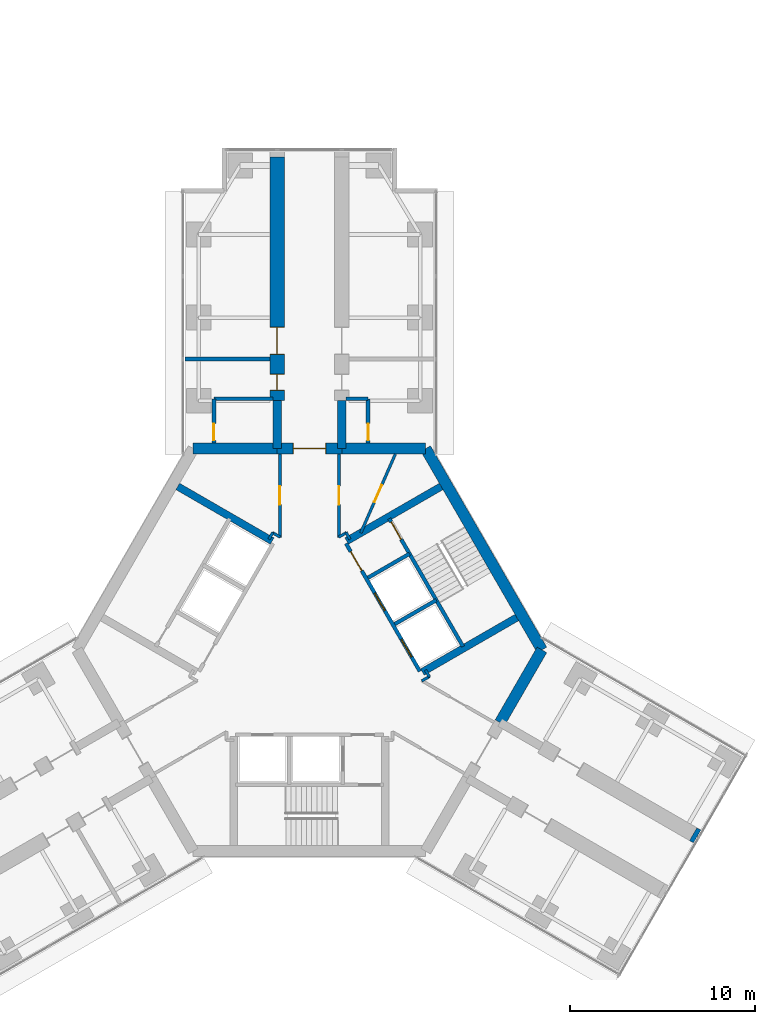
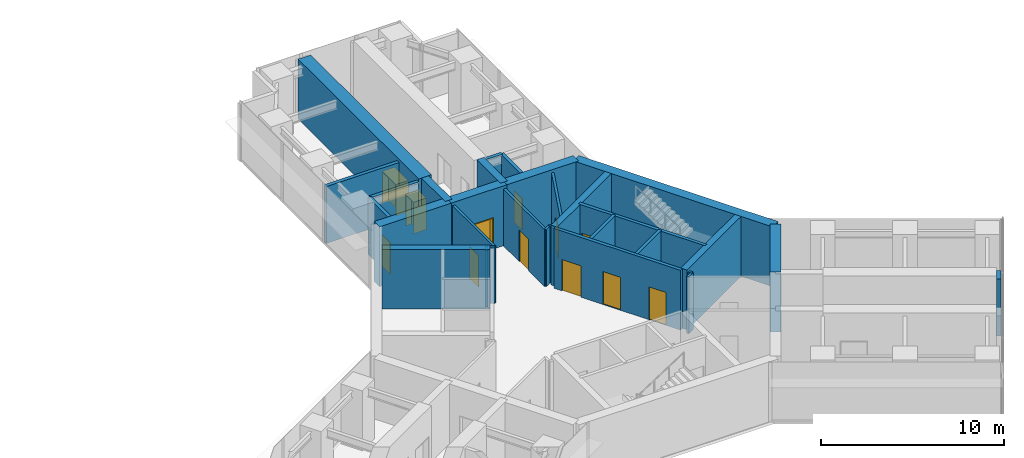
# One storey, part 19 of 21: 30 walls, 12 doors, 12 openings.
"""IFC4 building model written with IfcOpenShell, lengths in metres."""

from ifc_helpers import new_model, si_unit, direction, frame, frame_2d, origin, place, context, subcontext, project, spatial, rectangle, extrude, material, layer, layer_set, type_object, element, fill, save


model = new_model("IFC4")

# Units and contexts
model_context = context("Model", 3, precision=1e-05, world=origin(), true_north=direction((0.0, 1.0)))
body_context = subcontext(model_context, "Body", "Model", "MODEL_VIEW")
ifc_project = project(units=[si_unit("LENGTHUNIT", "METRE"), si_unit("AREAUNIT", "SQUARE_METRE"), si_unit("VOLUMEUNIT", "CUBIC_METRE"), si_unit("PLANEANGLEUNIT", "RADIAN"), si_unit("MASSUNIT", "GRAM", prefix="KILO")], contexts=[model_context])

# Site, building, storey
site_placement = place(None, origin())
site = spatial("IfcSite", under=ifc_project, at=site_placement, CompositionType="ELEMENT")
building_placement = place(site_placement, origin())
building = spatial("IfcBuilding", under=site, at=building_placement, Name="Upepo Twin Towers", CompositionType="ELEMENT")
storey_placement = place(building_placement, frame((0.0, 0.0, 101.5)))
storey = spatial("IfcBuildingStorey", under=building, at=storey_placement, Name="L24", CompositionType="ELEMENT", Elevation=101.5)

# Wall
ifc_material_1 = material(Name="Concrete blockwork, plastered both faces", Category="masonry")
ifc_layer_1 = layer(ifc_material_1, 0.215087890625)
ifc_layer_set_1 = layer_set([ifc_layer_1], Name="Blockwork partition 215")
wall_type_1 = type_object("IfcWallType", Name="Blockwork partition 215", PredefinedType="PARTITIONING", material=ifc_layer_set_1)
wall_1_placement = place(storey_placement, frame((56.35009765625, -2.25, 0.0), z_axis=(0.0, 0.0, 1.0), x_axis=(-1.0, 0.0, 0.0)))
element("IfcWall", 1, at=wall_1_placement, inside=storey, type_object=wall_type_1, Name="T2 partition AL at 15.75", PredefinedType="PARTITIONING", context=body_context, shape_type="SweptSolid", body=[
    extrude(rectangle(XDim=4.60009765625, YDim=0.215087890625, at=frame_2d((2.300048828125, 0.0))), origin(), (0.0, 0.0, 1.0), 3.800048828125),
])

# Wall, opening, door
wall_2_placement = place(storey_placement, frame((53.324951171875, -6.7919921875, 0.0), z_axis=(0.0, 0.0, 1.0), x_axis=(0.0, 1.0, 0.0)))
wall_2 = element("IfcWall", 2, at=wall_2_placement, inside=storey, type_object=wall_type_1, Name="T2 WC bay partition AL at 11.21", PredefinedType="PARTITIONING", context=body_context, shape_type="SweptSolid", body=[
    extrude(rectangle(XDim=2.39990234375, YDim=0.215087890625, at=frame_2d((1.199951171875, 0.0))), origin(), (0.0, 0.0, 1.0), 3.800048828125),
])
opening_1_placement = place(wall_2_placement, frame((0.14990234375, 0.0, 0.0)))
opening_1 = element("IfcOpeningElement", 3, at=opening_1_placement, cuts=wall_2, Name="Opening D14", PredefinedType="OPENING", context=body_context, shape_type="SweptSolid", body=[
    extrude(rectangle(XDim=0.89990234375, YDim=2.10009765625, at=frame_2d((0.449951171875, 1.050048828125))), frame((0.0, 0.117431640625, 0.0), z_axis=(0.0, -1.0, 0.0), x_axis=(1.0, 0.0, 0.0)), (0.0, 0.0, 1.0), 0.235107421875),
])
ifc_material_2 = material(Name="Timber doorset", Category="wood")
door_type_1 = type_object("IfcDoorType", Name="Office door 900 FD30", OperationType="SINGLE_SWING_LEFT", PredefinedType="DOOR", material=ifc_material_2)
door_1_placement = place(opening_1_placement, origin())
door_1 = element("IfcDoor", 4, at=door_1_placement, inside=storey, type_object=door_type_1, Name="T2 L24 WC bay inner room door", OperationType="SINGLE_SWING_LEFT", OverallHeight=2.10009765625, OverallWidth=0.89990234375, PredefinedType="DOOR", context=body_context, shape_type="SweptSolid", body=[
    extrude(rectangle(XDim=0.89990234375, YDim=2.10009765625, at=frame_2d((0.449951171875, 1.050048828125))), frame((0.0, 0.02490234375, 0.0), z_axis=(0.0, -1.0, 0.0), x_axis=(1.0, 0.0, 0.0)), (0.0, 0.0, 1.0), 0.050048828125),
])
fill(opening_1, door_1)

# Wall
wall_3_placement = place(storey_placement, frame((56.52490234375, -4.39208984375, 0.0), z_axis=(0.0, 0.0, 1.0), x_axis=(-1.0, 0.0, 0.0)))
element("IfcWall", 5, at=wall_3_placement, inside=storey, type_object=wall_type_1, Name="T2 WC bay partition AL end at 13.61", PredefinedType="PARTITIONING", context=body_context, shape_type="SweptSolid", body=[
    extrude(rectangle(XDim=3.199951171875, YDim=0.215087890625, at=frame_2d((1.60009765625, 0.0))), origin(), (0.0, 0.0, 1.0), 3.800048828125),
])

# Wall, opening, door
wall_4_placement = place(storey_placement, frame((61.675048828125, -6.7919921875, 0.0), z_axis=(0.0, 0.0, 1.0), x_axis=(0.0, 1.0, 0.0)))
wall_4 = element("IfcWall", 6, at=wall_4_placement, inside=storey, type_object=wall_type_1, Name="T2 WC bay partition AR at 11.21", PredefinedType="PARTITIONING", context=body_context, shape_type="SweptSolid", body=[
    extrude(rectangle(XDim=2.39990234375, YDim=0.215087890625, at=frame_2d((1.199951171875, 0.0))), origin(), (0.0, 0.0, 1.0), 3.800048828125),
])
opening_2_placement = place(wall_4_placement, frame((0.14990234375, 0.0, 0.0)))
opening_2 = element("IfcOpeningElement", 7, at=opening_2_placement, cuts=wall_4, Name="Opening D14", PredefinedType="OPENING", context=body_context, shape_type="SweptSolid", body=[
    extrude(rectangle(XDim=0.89990234375, YDim=2.10009765625, at=frame_2d((0.449951171875, 1.050048828125))), frame((0.0, 0.117431640625, 0.0), z_axis=(0.0, -1.0, 0.0), x_axis=(1.0, 0.0, 0.0)), (0.0, 0.0, 1.0), 0.235107421875),
])
door_2_placement = place(opening_2_placement, origin())
door_2 = element("IfcDoor", 8, at=door_2_placement, inside=storey, type_object=door_type_1, Name="T2 L24 WC bay inner room door", OperationType="SINGLE_SWING_LEFT", OverallHeight=2.10009765625, OverallWidth=0.89990234375, PredefinedType="DOOR", context=body_context, shape_type="SweptSolid", body=[
    extrude(rectangle(XDim=0.89990234375, YDim=2.10009765625, at=frame_2d((0.449951171875, 1.050048828125))), frame((0.0, 0.02490234375, 0.0), z_axis=(0.0, -1.0, 0.0), x_axis=(1.0, 0.0, 0.0)), (0.0, 0.0, 1.0), 0.050048828125),
])
fill(opening_2, door_2)

# Walls
wall_5_placement = place(storey_placement, frame((60.47509765625, -4.39208984375, 0.0), z_axis=(0.0, 0.0, 1.0), x_axis=(1.0, 0.0, 0.0)))
element("IfcWall", 9, at=wall_5_placement, inside=storey, type_object=wall_type_1, Name="T2 WC bay partition AR end at 13.61", PredefinedType="PARTITIONING", context=body_context, shape_type="SweptSolid", body=[
    extrude(rectangle(XDim=1.199951171875, YDim=0.215087890625, at=frame_2d((0.60009765625, 0.0))), origin(), (0.0, 0.0, 1.0), 3.800048828125),
])
ifc_material_3 = material(Name="Dense concrete blockwork", Category="masonry")
ifc_layer_2 = layer(ifc_material_3, 0.800048828125)
ifc_layer_set_2 = layer_set([ifc_layer_2], Name="Buttress closer 800, blockwork with fire-stopping to the curtain wall")
wall_type_2 = type_object("IfcWallType", Name="Buttress closer 800, blockwork with fire-stopping to the curtain wall", PredefinedType="PARTITIONING", material=ifc_layer_set_2)
wall_6_placement = place(storey_placement, frame((79.293701171875, -27.984375, 0.0), z_axis=(0.0, 0.0, 1.0), x_axis=(0.865827443207, -0.500342721131, 0.0)))
element("IfcWall", 10, at=wall_6_placement, inside=storey, type_object=wall_type_2, Name="T2 L24 wing C buttress closer L", PredefinedType="PARTITIONING", context=body_context, shape_type="SweptSolid", body=[
    extrude(rectangle(XDim=0.249755859375, YDim=0.800048828125, at=frame_2d((0.125, 0.0))), origin(), (0.0, 0.0, 1.0), 3.800048828125),
])
ifc_material_4 = material(Name="Concrete C60/75", Category="concrete")
ifc_layer_3 = layer(ifc_material_4, 0.449951171875)
ifc_layer_set_3 = layer_set([ifc_layer_3], Name="Concrete C60/75")
wall_type_3 = type_object("IfcWallType", Name="Buttress wall 450 RC", PredefinedType="SHEAR", material=ifc_layer_set_3)
for number, where, z_axis, x_axis, name in (
    (11, (56.75, -7.091552734375, 0.0), (0.0, 0.0, 1.0), (0.0, 1.0, 0.0), "T2 wing A buttress wall L"),
    (12, (60.25, -7.091552734375, 0.0), (0.0, 0.0, 1.0), (0.0, 1.0, 0.0), "T2 wing A buttress wall R"),
):
    element("IfcWall", number, at=place(storey_placement, frame(where, z_axis=z_axis, x_axis=x_axis)), inside=storey, type_object=wall_type_3, Name=name, PredefinedType="SHEAR", context=body_context, shape_type="SweptSolid", body=[
        extrude(rectangle(XDim=2.591552734375, YDim=0.449951171875, at=frame_2d((1.2958984375, 0.0))), origin(), (0.0, 0.0, 1.0), 4.0),
    ])

# Wall, openings, doors
ifc_material_5 = material(Name="Concrete C60/75", Category="concrete")
ifc_layer_4 = layer(ifc_material_5, 0.800048828125)
ifc_layer_set_4 = layer_set([ifc_layer_4], Name="Concrete C60/75")
wall_type_4 = type_object("IfcWallType", Name="Buttress wall 800 RC", PredefinedType="SHEAR", material=ifc_layer_set_4)
wall_7_placement = place(storey_placement, frame((56.75, -4.5, 0.0), z_axis=(0.0, 0.0, 1.0), x_axis=(0.0, 1.0, 0.0)))
wall_7 = element("IfcWall", 13, at=wall_7_placement, inside=storey, type_object=wall_type_4, Name="T2 wing A buttress wall L part 2", PredefinedType="SHEAR", context=body_context, shape_type="SweptSolid", body=[
    extrude(rectangle(XDim=13.199951171875, YDim=0.800048828125, at=frame_2d((6.60009765625, 0.0))), origin(), (0.0, 0.0, 1.0), 4.0),
])
opening_3_placement = place(wall_7_placement, frame((0.550048828125, 0.0, 0.0)))
opening_3 = element("IfcOpeningElement", 14, at=opening_3_placement, cuts=wall_7, Name="Opening D11", PredefinedType="OPENING", context=body_context, shape_type="SweptSolid", body=[
    extrude(rectangle(XDim=0.89990234375, YDim=2.10009765625, at=frame_2d((0.449951171875, 1.050048828125))), frame((0.0, 0.409912109375, 0.0), z_axis=(0.0, -1.0, 0.0), x_axis=(1.0, 0.0, 0.0)), (0.0, 0.0, 1.0), 0.820068359375),
])
opening_4_placement = place(wall_7_placement, frame((2.5, 0.0, 0.0)))
opening_4 = element("IfcOpeningElement", 15, at=opening_4_placement, cuts=wall_7, Name="Opening D13", PredefinedType="OPENING", context=body_context, shape_type="SweptSolid", body=[
    extrude(rectangle(XDim=1.5, YDim=2.10009765625, at=frame_2d((0.75, 1.050048828125))), frame((0.0, 0.409912109375, 0.0), z_axis=(0.0, -1.0, 0.0), x_axis=(1.0, 0.0, 0.0)), (0.0, 0.0, 1.0), 0.820068359375),
])
ifc_material_6 = material(Name="Timber doorset", Category="wood")
door_type_2 = type_object("IfcDoorType", Name="Double door 1500 FD30", OperationType="DOUBLE_DOOR_SINGLE_SWING", PredefinedType="DOOR", material=ifc_material_6)
door_3_placement = place(opening_4_placement, origin())
door_3 = element("IfcDoor", 16, at=door_3_placement, inside=storey, type_object=door_type_2, Name="T2 L24 moot court door", OperationType="DOUBLE_DOOR_SINGLE_SWING", OverallHeight=2.10009765625, OverallWidth=1.5, PredefinedType="DOOR", context=body_context, shape_type="SweptSolid", body=[
    extrude(rectangle(XDim=1.42, YDim=2.06009765625, at=frame_2d((0.75, 1.030029296875))), frame((0.0, 0.02490234375, 0.0), z_axis=(0.0, -1.0, 0.0), x_axis=(1.0, 0.0, 0.0)), (0.0, 0.0, 1.0), 0.050048828125),
    extrude(rectangle(XDim=0.04, YDim=2.10009765625, at=frame_2d((0.02001953125, 1.050048828125))), frame((0.0, 0.39990234375, 0.0), z_axis=(0.0, -1.0, 0.0), x_axis=(1.0, 0.0, 0.0)), (0.0, 0.0, 1.0), 0.799560546875),
    extrude(rectangle(XDim=0.04, YDim=2.10009765625, at=frame_2d((1.47998046875, 1.050048828125))), frame((0.0, 0.39990234375, 0.0), z_axis=(0.0, -1.0, 0.0), x_axis=(1.0, 0.0, 0.0)), (0.0, 0.0, 1.0), 0.799560546875),
    extrude(rectangle(XDim=1.42, YDim=0.04, at=frame_2d((0.75, 2.080078125))), frame((0.0, 0.39990234375, 0.0), z_axis=(0.0, -1.0, 0.0), x_axis=(1.0, 0.0, 0.0)), (0.0, 0.0, 1.0), 0.799560546875),
])
fill(opening_4, door_3)
ifc_material_7 = material(Name="Timber doorset", Category="wood")
door_type_3 = type_object("IfcDoorType", Name="Toilet door 900", OperationType="SINGLE_SWING_LEFT", PredefinedType="DOOR", material=ifc_material_7)
door_4_placement = place(opening_3_placement, origin())
door_4 = element("IfcDoor", 17, at=door_4_placement, inside=storey, type_object=door_type_3, Name="T2 L24 accessible wc door", OperationType="SINGLE_SWING_LEFT", OverallHeight=2.10009765625, OverallWidth=0.89990234375, PredefinedType="DOOR", context=body_context, shape_type="SweptSolid", body=[
    extrude(rectangle(XDim=0.81990234375, YDim=2.06009765625, at=frame_2d((0.449951171875, 1.030029296875))), frame((0.0, 0.02490234375, 0.0), z_axis=(0.0, -1.0, 0.0), x_axis=(1.0, 0.0, 0.0)), (0.0, 0.0, 1.0), 0.050048828125),
    extrude(rectangle(XDim=0.04, YDim=2.10009765625, at=frame_2d((0.02001953125, 1.050048828125))), frame((0.0, 0.39990234375, 0.0), z_axis=(0.0, -1.0, 0.0), x_axis=(1.0, 0.0, 0.0)), (0.0, 0.0, 1.0), 0.799560546875),
    extrude(rectangle(XDim=0.04, YDim=2.10009765625, at=frame_2d((0.8798828125, 1.050048828125))), frame((0.0, 0.39990234375, 0.0), z_axis=(0.0, -1.0, 0.0), x_axis=(1.0, 0.0, 0.0)), (0.0, 0.0, 1.0), 0.799560546875),
    extrude(rectangle(XDim=0.81990234375, YDim=0.04, at=frame_2d((0.449951171875, 2.080078125))), frame((0.0, 0.39990234375, 0.0), z_axis=(0.0, -1.0, 0.0), x_axis=(1.0, 0.0, 0.0)), (0.0, 0.0, 1.0), 0.799560546875),
])
fill(opening_3, door_4)

# Wall
ifc_material_8 = material(Name="Concrete C60/75", Category="concrete")
ifc_layer_5 = layer(ifc_material_8, 0.60009765625)
ifc_layer_set_5 = layer_set([ifc_layer_5], Name="Concrete C60/75")
wall_type_5 = type_object("IfcWallType", Name="Core wall 600 RC", PredefinedType="SHEAR", material=ifc_layer_set_5)
wall_8_placement = place(storey_placement, frame((64.7978515625, -7.091552734375, 0.0), z_axis=(0.0, 0.0, 1.0), x_axis=(-1.0, 0.0, 0.0)))
element("IfcWall", 18, at=wall_8_placement, inside=storey, type_object=wall_type_5, Name="T2 core wall 000 R", PredefinedType="SHEAR", context=body_context, shape_type="SweptSolid", body=[
    extrude(rectangle(XDim=4.5478515625, YDim=0.60009765625, at=frame_2d((2.27392578125, 0.0))), origin(), (0.0, 0.0, 1.0), 4.0),
])

# Wall, opening, door
wall_9_placement = place(storey_placement, frame((60.25, -7.091552734375, 0.0), z_axis=(0.0, 0.0, 1.0), x_axis=(-1.0, 0.0, 0.0)))
wall_9 = element("IfcWall", 19, at=wall_9_placement, inside=storey, type_object=wall_type_5, Name="T2 core wall 000", PredefinedType="SHEAR", context=body_context, shape_type="SweptSolid", body=[
    extrude(rectangle(XDim=3.5, YDim=0.60009765625, at=frame_2d((1.75, 0.0))), origin(), (0.0, 0.0, 1.0), 4.0),
])
opening_5_placement = place(wall_9_placement, frame((0.85009765625, 0.0, 0.0)))
opening_5 = element("IfcOpeningElement", 20, at=opening_5_placement, cuts=wall_9, Name="Opening D2", PredefinedType="OPENING", context=body_context, shape_type="SweptSolid", body=[
    extrude(rectangle(XDim=1.800048828125, YDim=2.10009765625, at=frame_2d((0.89990234375, 1.050048828125))), frame((0.0, 0.31005859375, 0.0), z_axis=(0.0, -1.0, 0.0), x_axis=(1.0, 0.0, 0.0)), (0.0, 0.0, 1.0), 0.6201171875),
])
ifc_material_9 = material(Name="Timber doorset", Category="wood")
door_type_4 = type_object("IfcDoorType", Name="Corridor double door 1800 FD60", OperationType="DOUBLE_DOOR_DOUBLE_SWING", PredefinedType="DOOR", material=ifc_material_9)
door_5_placement = place(opening_5_placement, origin())
door_5 = element("IfcDoor", 21, at=door_5_placement, inside=storey, type_object=door_type_4, Name="T2 L24 wing A corridor door", OperationType="DOUBLE_DOOR_DOUBLE_SWING", OverallHeight=2.10009765625, OverallWidth=1.800048828125, PredefinedType="DOOR", context=body_context, shape_type="SweptSolid", body=[
    extrude(rectangle(XDim=1.720048828125, YDim=2.06009765625, at=frame_2d((0.89990234375, 1.030029296875))), frame((0.0, 0.02490234375, 0.0), z_axis=(0.0, -1.0, 0.0), x_axis=(1.0, 0.0, 0.0)), (0.0, 0.0, 1.0), 0.050048828125),
    extrude(rectangle(XDim=0.04, YDim=2.10009765625, at=frame_2d((0.02001953125, 1.050048828125))), frame((0.0, 0.2998046875, 0.0), z_axis=(0.0, -1.0, 0.0), x_axis=(1.0, 0.0, 0.0)), (0.0, 0.0, 1.0), 0.599609375),
    extrude(rectangle(XDim=0.04, YDim=2.10009765625, at=frame_2d((1.780029296875, 1.050048828125))), frame((0.0, 0.2998046875, 0.0), z_axis=(0.0, -1.0, 0.0), x_axis=(1.0, 0.0, 0.0)), (0.0, 0.0, 1.0), 0.599609375),
    extrude(rectangle(XDim=1.720048828125, YDim=0.04, at=frame_2d((0.89990234375, 2.080078125))), frame((0.0, 0.2998046875, 0.0), z_axis=(0.0, -1.0, 0.0), x_axis=(1.0, 0.0, 0.0)), (0.0, 0.0, 1.0), 0.599609375),
])
fill(opening_5, door_5)

# Walls
wall_10_placement = place(storey_placement, frame((56.75, -7.091552734375, 0.0), z_axis=(0.0, 0.0, 1.0), x_axis=(-1.0, 0.0, 0.0)))
element("IfcWall", 22, at=wall_10_placement, inside=storey, type_object=wall_type_5, Name="T2 core wall 000 L", PredefinedType="SHEAR", context=body_context, shape_type="SweptSolid", body=[
    extrude(rectangle(XDim=4.5478515625, YDim=0.60009765625, at=frame_2d((2.27392578125, 0.0))), origin(), (0.0, 0.0, 1.0), 4.0),
])
wall_11_placement = place(storey_placement, frame((68.82177734375, -21.938720703125, 0.0), z_axis=(0.0, 0.0, 1.0), x_axis=(0.500024481964, 0.866011268655, 0.0)))
element("IfcWall", 23, at=wall_11_placement, inside=storey, type_object=wall_type_5, Name="T2 core wall 240 L", PredefinedType="SHEAR", context=body_context, shape_type="SweptSolid", body=[
    extrude(rectangle(XDim=4.548095703125, YDim=0.60009765625, at=frame_2d((2.27392578125, 0.0))), origin(), (0.0, 0.0, 1.0), 4.0),
])
wall_12_placement = place(storey_placement, frame((71.095947265625, -18.0, 0.0), z_axis=(0.0, 0.0, 1.0), x_axis=(-0.500005998175, 0.866021940709, 0.0)))
element("IfcWall", 24, at=wall_12_placement, inside=storey, type_object=wall_type_5, Name="T2 core wall 300", PredefinedType="SHEAR", context=body_context, shape_type="SweptSolid", body=[
    extrude(rectangle(XDim=12.595947265625, YDim=0.60009765625, at=frame_2d((6.2978515625, 0.0))), origin(), (0.0, 0.0, 1.0), 4.0),
])

# Wall, openings, doors
ifc_material_10 = material(Name="Concrete C40/50", Category="concrete")
ifc_layer_6 = layer(ifc_material_10, 0.199951171875)
ifc_layer_set_6 = layer_set([ifc_layer_6], Name="Concrete C40/50")
wall_type_6 = type_object("IfcWallType", Name="Shaft wall 200 RC", PredefinedType="SHEAR", material=ifc_layer_set_6)
wall_13_placement = place(storey_placement, frame((64.483642578125, -19.1640625, 0.0), z_axis=(0.0, 0.0, 1.0), x_axis=(-0.49999894854, 0.866026010844, 0.0)))
wall_13 = element("IfcWall", 25, at=wall_13_placement, inside=storey, type_object=wall_type_6, Name="T2 core W300 front wall", PredefinedType="SHEAR", context=body_context, shape_type="SweptSolid", body=[
    extrude(rectangle(XDim=8.0, YDim=0.199951171875, at=frame_2d((4.0, 0.0))), origin(), (0.0, 0.0, 1.0), 4.0),
])
opening_6_placement = place(wall_13_placement, frame((6.300048828125, 0.0, 0.0)))
opening_6 = element("IfcOpeningElement", 26, at=opening_6_placement, cuts=wall_13, Name="Opening D4", PredefinedType="OPENING", context=body_context, shape_type="SweptSolid", body=[
    extrude(rectangle(XDim=1.199951171875, YDim=2.10009765625, at=frame_2d((0.60009765625, 1.050048828125))), frame((0.0, 0.10986328125, 0.0), z_axis=(0.0, -1.0, 0.0), x_axis=(1.0, 0.0, 0.0)), (0.0, 0.0, 1.0), 0.219970703125),
])
opening_7_placement = place(wall_13_placement, frame((0.89990234375, 0.0, 0.0)))
opening_7 = element("IfcOpeningElement", 27, at=opening_7_placement, cuts=wall_13, Name="Opening LD1", PredefinedType="OPENING", context=body_context, shape_type="SweptSolid", body=[
    extrude(rectangle(XDim=1.10009765625, YDim=2.199951171875, at=frame_2d((0.550048828125, 1.10009765625))), frame((0.0, 0.10986328125, 0.0), z_axis=(0.0, -1.0, 0.0), x_axis=(1.0, 0.0, 0.0)), (0.0, 0.0, 1.0), 0.219970703125),
])
opening_8_placement = place(wall_13_placement, frame((3.800048828125, 0.0, 0.0)))
opening_8 = element("IfcOpeningElement", 28, at=opening_8_placement, cuts=wall_13, Name="Opening LD1", PredefinedType="OPENING", context=body_context, shape_type="SweptSolid", body=[
    extrude(rectangle(XDim=1.10009765625, YDim=2.199951171875, at=frame_2d((0.550048828125, 1.10009765625))), frame((0.0, 0.10986328125, 0.0), z_axis=(0.0, -1.0, 0.0), x_axis=(1.0, 0.0, 0.0)), (0.0, 0.0, 1.0), 0.219970703125),
])
ifc_material_11 = material(Name="Steel doorset", Category="steel")
door_type_5 = type_object("IfcDoorType", Name="Lift landing door 1100", OperationType="DOUBLE_DOOR_SLIDING", PredefinedType="DOOR", material=ifc_material_11)
door_6_placement = place(opening_7_placement, origin())
door_6 = element("IfcDoor", 29, at=door_6_placement, inside=storey, type_object=door_type_5, Name="T2 L24 lift ML1 landing door", OperationType="DOUBLE_DOOR_SLIDING", OverallHeight=2.199951171875, OverallWidth=1.10009765625, PredefinedType="DOOR", context=body_context, shape_type="SweptSolid", body=[
    extrude(rectangle(XDim=1.10009765625, YDim=2.199951171875, at=frame_2d((0.550048828125, 1.10009765625))), frame((0.0, 0.02490234375, 0.0), z_axis=(0.0, -1.0, 0.0), x_axis=(1.0, 0.0, 0.0)), (0.0, 0.0, 1.0), 0.050048828125),
])
fill(opening_7, door_6)
door_7_placement = place(opening_8_placement, origin())
door_7 = element("IfcDoor", 30, at=door_7_placement, inside=storey, type_object=door_type_5, Name="T2 L24 lift ML2 landing door", OperationType="DOUBLE_DOOR_SLIDING", OverallHeight=2.199951171875, OverallWidth=1.10009765625, PredefinedType="DOOR", context=body_context, shape_type="SweptSolid", body=[
    extrude(rectangle(XDim=1.10009765625, YDim=2.199951171875, at=frame_2d((0.550048828125, 1.10009765625))), frame((0.0, 0.02490234375, 0.0), z_axis=(0.0, -1.0, 0.0), x_axis=(1.0, 0.0, 0.0)), (0.0, 0.0, 1.0), 0.050048828125),
])
fill(opening_8, door_7)
ifc_material_12 = material(Name="Timber doorset", Category="wood")
door_type_6 = type_object("IfcDoorType", Name="Lobby door 1200 FD60", OperationType="SINGLE_SWING_LEFT", PredefinedType="DOOR", material=ifc_material_12)
door_8_placement = place(opening_6_placement, origin())
door_8 = element("IfcDoor", 31, at=door_8_placement, inside=storey, type_object=door_type_6, Name="T2 L24 W300 lobby door", OperationType="SINGLE_SWING_RIGHT", OverallHeight=2.10009765625, OverallWidth=1.199951171875, PredefinedType="DOOR", context=body_context, shape_type="SweptSolid", body=[
    extrude(rectangle(XDim=1.199951171875, YDim=2.10009765625, at=frame_2d((0.60009765625, 1.050048828125))), frame((0.0, 0.02490234375, 0.0), z_axis=(0.0, -1.0, 0.0), x_axis=(1.0, 0.0, 0.0)), (0.0, 0.0, 1.0), 0.050048828125),
])
fill(opening_6, door_8)

# Walls
wall_14_placement = place(storey_placement, frame((63.120361328125, -16.6025390625, 0.0), z_axis=(0.0, 0.0, 1.0), x_axis=(0.866062058628, 0.499936506574, 0.0)))
element("IfcWall", 32, at=wall_14_placement, inside=storey, type_object=wall_type_6, Name="T2 core W300 shaft divider", PredefinedType="SHEAR", context=body_context, shape_type="SweptSolid", body=[
    extrude(rectangle(XDim=2.599853515625, YDim=0.199951171875, at=frame_2d((1.2998046875, 0.0))), origin(), (0.0, 0.0, 1.0), 4.0),
])
wall_15_placement = place(storey_placement, frame((61.67041015625, -14.091064453125, 0.0), z_axis=(0.0, 0.0, 1.0), x_axis=(0.86603858612, 0.49997716683, 0.0)))
element("IfcWall", 33, at=wall_15_placement, inside=storey, type_object=wall_type_6, Name="T2 core W300 lobby wall", PredefinedType="SHEAR", context=body_context, shape_type="SweptSolid", body=[
    extrude(rectangle(XDim=2.599609375, YDim=0.199951171875, at=frame_2d((1.2998046875, 0.0))), origin(), (0.0, 0.0, 1.0), 4.0),
])

# Wall, opening, door
wall_16_placement = place(storey_placement, frame((66.822021484375, -17.814208984375, 0.0), z_axis=(0.0, 0.0, 1.0), x_axis=(-0.49999894854, 0.866026010844, 0.0)))
wall_16 = element("IfcWall", 34, at=wall_16_placement, inside=storey, type_object=wall_type_6, Name="T2 core W300 stair wall", PredefinedType="SHEAR", context=body_context, shape_type="SweptSolid", body=[
    extrude(rectangle(XDim=8.0, YDim=0.199951171875, at=frame_2d((4.0, 0.0))), origin(), (0.0, 0.0, 1.0), 4.0),
])
opening_9_placement = place(wall_16_placement, frame((6.699951171875, 0.0, 0.0)))
opening_9 = element("IfcOpeningElement", 35, at=opening_9_placement, cuts=wall_16, Name="Opening D3", PredefinedType="OPENING", context=body_context, shape_type="SweptSolid", body=[
    extrude(rectangle(XDim=1.10009765625, YDim=2.10009765625, at=frame_2d((0.550048828125, 1.050048828125))), frame((0.0, 0.10986328125, 0.0), z_axis=(0.0, -1.0, 0.0), x_axis=(1.0, 0.0, 0.0)), (0.0, 0.0, 1.0), 0.219970703125),
])
ifc_material_13 = material(Name="Timber doorset", Category="wood")
door_type_7 = type_object("IfcDoorType", Name="Stair door 1100 FD60", OperationType="SINGLE_SWING_LEFT", PredefinedType="DOOR", material=ifc_material_13)
door_9_placement = place(opening_9_placement, origin())
door_9 = element("IfcDoor", 36, at=door_9_placement, inside=storey, type_object=door_type_7, Name="T2 L24 stair door", OperationType="SINGLE_SWING_RIGHT", OverallHeight=2.10009765625, OverallWidth=1.10009765625, PredefinedType="DOOR", context=body_context, shape_type="SweptSolid", body=[
    extrude(rectangle(XDim=1.10009765625, YDim=2.10009765625, at=frame_2d((0.550048828125, 1.050048828125))), frame((0.0, 0.02490234375, 0.0), z_axis=(0.0, -1.0, 0.0), x_axis=(1.0, 0.0, 0.0)), (0.0, 0.0, 1.0), 0.050048828125),
])
fill(opening_9, door_9)

# Walls
ifc_material_14 = material(Name="Concrete C40/50", Category="concrete")
ifc_layer_7 = layer(ifc_material_14, 0.39990234375)
ifc_layer_set_7 = layer_set([ifc_layer_7], Name="Concrete C40/50")
wall_type_7 = type_object("IfcWallType", Name="Shaft wall 400 RC", PredefinedType="SHEAR", material=ifc_layer_set_7)
for number, where, z_axis, x_axis, name in (
    (37, (56.479736328125, -12.099365234375, 0.0), (0.0, 0.0, 1.0), (-0.866009424208, 0.500027676417, 0.0), "T2 core W60 side wall S"),
    (38, (60.520263671875, -12.099365234375, 0.0), (0.0, 0.0, 1.0), (0.866009424208, 0.500027676417, 0.0), "T2 core W300 side wall N"),
):
    element("IfcWall", number, at=place(storey_placement, frame(where, z_axis=z_axis, x_axis=x_axis)), inside=storey, type_object=wall_type_7, Name=name, PredefinedType="SHEAR", context=body_context, shape_type="SweptSolid", body=[
        extrude(rectangle(XDim=5.908447265625, YDim=0.39990234375, at=frame_2d((2.9541015625, 0.0))), origin(), (0.0, 0.0, 1.0), 4.0),
    ])
wall_17_placement = place(storey_placement, frame((64.620361328125, -19.20068359375, 0.0), z_axis=(0.0, 0.0, 1.0), x_axis=(0.866027317282, 0.49999668571, 0.0)))
element("IfcWall", 39, at=wall_17_placement, inside=storey, type_object=wall_type_7, Name="T2 core W300 side wall S", PredefinedType="SHEAR", context=body_context, shape_type="SweptSolid", body=[
    extrude(rectangle(XDim=5.908203125, YDim=0.39990234375, at=frame_2d((2.9541015625, 0.0))), origin(), (0.0, 0.0, 1.0), 4.0),
])
ifc_material_15 = material(Name="Gypsum board on steel studs", Category="steel")
ifc_layer_8 = layer(ifc_material_15, 0.14990234375)
ifc_layer_set_8 = layer_set([ifc_layer_8], Name="Teaching partition 150 acoustic")
wall_type_8 = type_object("IfcWallType", Name="Teaching partition 150 acoustic", PredefinedType="PARTITIONING", material=ifc_layer_set_8)
wall_18_placement = place(storey_placement, frame((56.301513671875, -12.0078125, 0.0), z_axis=(0.0, 0.0, 1.0), x_axis=(0.500230298122, 0.865892400268, 0.0)))
element("IfcWall", 40, at=wall_18_placement, inside=storey, type_object=wall_type_8, Name="T2 core room partition 6", PredefinedType="PARTITIONING", context=body_context, shape_type="SweptSolid", body=[
    extrude(rectangle(XDim=0.429931640625, YDim=0.14990234375, at=frame_2d((0.21484375, 0.0))), origin(), (0.0, 0.0, 1.0), 3.800048828125),
])
wall_19_placement = place(storey_placement, frame((56.4892578125, -11.642822265625, 0.0), z_axis=(0.0, 0.0, 1.0), x_axis=(0.865831790172, -0.50033519877, 0.0)))
element("IfcWall", 41, at=wall_19_placement, inside=storey, type_object=wall_type_8, Name="T2 core room partition 7", PredefinedType="PARTITIONING", context=body_context, shape_type="SweptSolid", body=[
    extrude(rectangle(XDim=0.494384765625, YDim=0.14990234375, at=frame_2d((0.2470703125, 0.0))), origin(), (0.0, 0.0, 1.0), 3.800048828125),
])

# Wall, opening, door
wall_20_placement = place(storey_placement, frame((56.89990234375, -11.900146484375, 0.0), z_axis=(0.0, 0.0, 1.0), x_axis=(0.0, 1.0, 0.0)))
wall_20 = element("IfcWall", 42, at=wall_20_placement, inside=storey, type_object=wall_type_8, Name="T2 core room partition 8", PredefinedType="PARTITIONING", context=body_context, shape_type="SweptSolid", body=[
    extrude(rectangle(XDim=4.5185546875, YDim=0.14990234375, at=frame_2d((2.25927734375, 0.0))), origin(), (0.0, 0.0, 1.0), 3.800048828125),
])
opening_10_placement = place(wall_20_placement, frame((1.769287109375, 0.0, 0.0)))
opening_10 = element("IfcOpeningElement", 43, at=opening_10_placement, cuts=wall_20, Name="Opening D1", PredefinedType="OPENING", context=body_context, shape_type="SweptSolid", body=[
    extrude(rectangle(XDim=1.0, YDim=2.10009765625, at=frame_2d((0.5, 1.050048828125))), frame((0.0, 0.0849609375, 0.0), z_axis=(0.0, -1.0, 0.0), x_axis=(1.0, 0.0, 0.0)), (0.0, 0.0, 1.0), 0.169921875),
])
ifc_material_16 = material(Name="Timber doorset", Category="wood")
door_type_8 = type_object("IfcDoorType", Name="Room door 1000 FD30", OperationType="SINGLE_SWING_LEFT", PredefinedType="DOOR", material=ifc_material_16)
door_10_placement = place(opening_10_placement, origin())
door_10 = element("IfcDoor", 44, at=door_10_placement, inside=storey, type_object=door_type_8, Name="T2 L24 core room door K7", OperationType="SINGLE_SWING_RIGHT", OverallHeight=2.10009765625, OverallWidth=1.0, PredefinedType="DOOR", context=body_context, shape_type="SweptSolid", body=[
    extrude(rectangle(XDim=1.0, YDim=2.10009765625, at=frame_2d((0.5, 1.050048828125))), frame((0.0, 0.02490234375, 0.0), z_axis=(0.0, -1.0, 0.0), x_axis=(1.0, 0.0, 0.0)), (0.0, 0.0, 1.0), 0.050048828125),
])
fill(opening_10, door_10)

wall_21_placement = place(storey_placement, frame((60.10009765625, -7.381591796875, 0.0), z_axis=(0.0, 0.0, 1.0), x_axis=(0.0, -1.0, 0.0)))
wall_21 = element("IfcWall", 45, at=wall_21_placement, inside=storey, type_object=wall_type_8, Name="T2 core room partition 9", PredefinedType="PARTITIONING", context=body_context, shape_type="SweptSolid", body=[
    extrude(rectangle(XDim=4.5185546875, YDim=0.14990234375, at=frame_2d((2.25927734375, 0.0))), origin(), (0.0, 0.0, 1.0), 3.800048828125),
])
opening_11_placement = place(wall_21_placement, frame((1.7490234375, 0.0, 0.0)))
opening_11 = element("IfcOpeningElement", 46, at=opening_11_placement, cuts=wall_21, Name="Opening D1", PredefinedType="OPENING", context=body_context, shape_type="SweptSolid", body=[
    extrude(rectangle(XDim=1.0, YDim=2.10009765625, at=frame_2d((0.5, 1.050048828125))), frame((0.0, 0.0849609375, 0.0), z_axis=(0.0, -1.0, 0.0), x_axis=(1.0, 0.0, 0.0)), (0.0, 0.0, 1.0), 0.169921875),
])
door_11_placement = place(opening_11_placement, origin())
door_11 = element("IfcDoor", 47, at=door_11_placement, inside=storey, type_object=door_type_8, Name="T2 L24 core room door K5", OperationType="SINGLE_SWING_LEFT", OverallHeight=2.10009765625, OverallWidth=1.0, PredefinedType="DOOR", context=body_context, shape_type="SweptSolid", body=[
    extrude(rectangle(XDim=1.0, YDim=2.10009765625, at=frame_2d((0.5, 1.050048828125))), frame((0.0, 0.02490234375, 0.0), z_axis=(0.0, -1.0, 0.0), x_axis=(1.0, 0.0, 0.0)), (0.0, 0.0, 1.0), 0.050048828125),
])
fill(opening_11, door_11)

# Walls
wall_22_placement = place(storey_placement, frame((60.082763671875, -11.89013671875, 0.0), z_axis=(0.0, 0.0, 1.0), x_axis=(0.865831790172, 0.50033519877, 0.0)))
element("IfcWall", 48, at=wall_22_placement, inside=storey, type_object=wall_type_8, Name="T2 core room partition 10", PredefinedType="PARTITIONING", context=body_context, shape_type="SweptSolid", body=[
    extrude(rectangle(XDim=0.494384765625, YDim=0.14990234375, at=frame_2d((0.2470703125, 0.0))), origin(), (0.0, 0.0, 1.0), 3.800048828125),
])
for number, where, z_axis, x_axis, name in (
    (49, (60.4833984375, -11.635498046875, 0.0), (0.0, 0.0, 1.0), (0.500230298122, -0.865892400268, 0.0), "T2 core room partition 11"),
    (50, (64.78857421875, -19.092041015625, 0.0), (0.0, 0.0, 1.0), (0.499804398801, -0.866138304741, 0.0), "T2 core room partition 12"),
):
    element("IfcWall", number, at=place(storey_placement, frame(where, z_axis=z_axis, x_axis=x_axis)), inside=storey, type_object=wall_type_8, Name=name, PredefinedType="PARTITIONING", context=body_context, shape_type="SweptSolid", body=[
        extrude(rectangle(XDim=0.429931640625, YDim=0.14990234375, at=frame_2d((0.21484375, 0.0))), origin(), (0.0, 0.0, 1.0), 3.800048828125),
    ])
wall_23_placement = place(storey_placement, frame((65.0107421875, -19.43701171875, 0.0), z_axis=(0.0, 0.0, 1.0), x_axis=(-0.865831790172, -0.50033519877, 0.0)))
element("IfcWall", 51, at=wall_23_placement, inside=storey, type_object=wall_type_8, Name="T2 core room partition 13", PredefinedType="PARTITIONING", context=body_context, shape_type="SweptSolid", body=[
    extrude(rectangle(XDim=0.494384765625, YDim=0.14990234375, at=frame_2d((0.2470703125, 0.0))), origin(), (0.0, 0.0, 1.0), 3.800048828125),
])

# Wall, opening, door
wall_24_placement = place(storey_placement, frame((61.281005859375, -11.66015625, 0.0), z_axis=(0.0, 0.0, 1.0), x_axis=(0.401686926791, 0.915777054116, 0.0)))
wall_24 = element("IfcWall", 52, at=wall_24_placement, inside=storey, type_object=wall_type_8, Name="T2 core room partition 19", PredefinedType="PARTITIONING", context=body_context, shape_type="SweptSolid", body=[
    extrude(rectangle(XDim=4.6611328125, YDim=0.14990234375, at=frame_2d((2.33056640625, 0.0))), origin(), (0.0, 0.0, 1.0), 3.800048828125),
])
opening_12_placement = place(wall_24_placement, frame((1.83056640625, 0.0, 0.0)))
opening_12 = element("IfcOpeningElement", 53, at=opening_12_placement, cuts=wall_24, Name="Opening D1", PredefinedType="OPENING", context=body_context, shape_type="SweptSolid", body=[
    extrude(rectangle(XDim=1.0, YDim=2.10009765625, at=frame_2d((0.5, 1.050048828125))), frame((0.0, 0.0849609375, 0.0), z_axis=(0.0, -1.0, 0.0), x_axis=(1.0, 0.0, 0.0)), (0.0, 0.0, 1.0), 0.169921875),
])
door_12_placement = place(opening_12_placement, origin())
door_12 = element("IfcDoor", 54, at=door_12_placement, inside=storey, type_object=door_type_8, Name="T2 L24 core room door K6", OperationType="SINGLE_SWING_LEFT", OverallHeight=2.10009765625, OverallWidth=1.0, PredefinedType="DOOR", context=body_context, shape_type="SweptSolid", body=[
    extrude(rectangle(XDim=1.0, YDim=2.10009765625, at=frame_2d((0.5, 1.050048828125))), frame((0.0, 0.02490234375, 0.0), z_axis=(0.0, -1.0, 0.0), x_axis=(1.0, 0.0, 0.0)), (0.0, 0.0, 1.0), 0.050048828125),
])
fill(opening_12, door_12)

save(model, "model.ifc")
